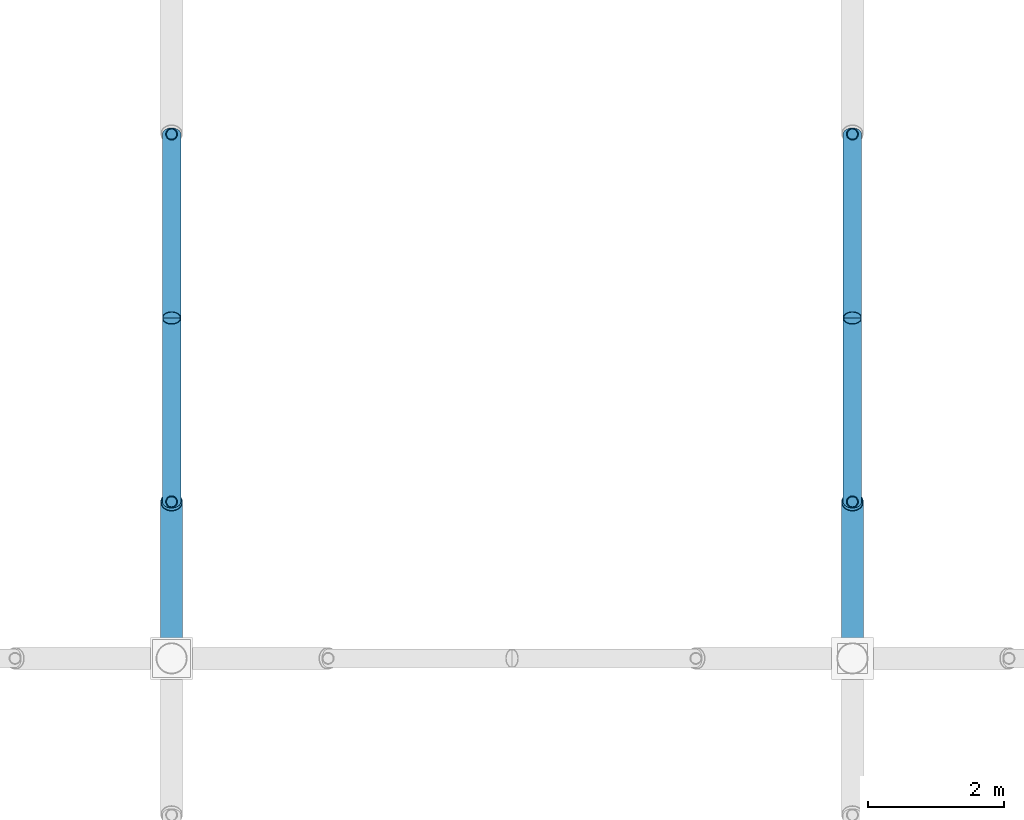
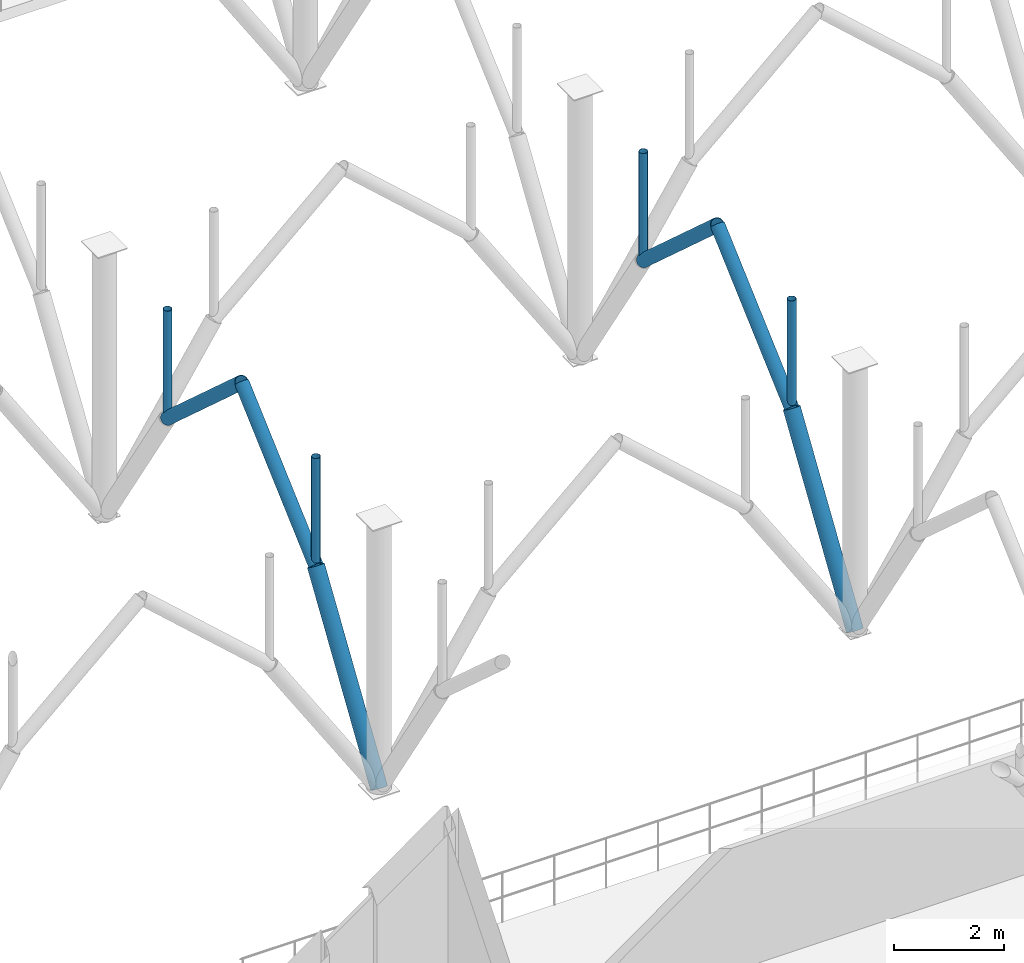
# One storey, part 40 of 109: 10 members.
"""IFC4 building model written with IfcOpenShell, lengths in metres."""

from ifc_helpers import new_model, si_unit, derived_unit, direction, frame, origin, origin_2d_with_axis, place, context, subcontext, project, spatial, hollow_circle, extrude, material, material_profile, profile_set, type_object, element, save


model = new_model("IFC4")

# Units and contexts
model_context = context("Model", 3, precision=1e-05, world=origin(), true_north=direction((0.0, 1.0)))
body_context = subcontext(model_context, "Body", "Model", "MODEL_VIEW")
ifc_project = project(units=[si_unit("LENGTHUNIT", "METRE"), si_unit("AREAUNIT", "SQUARE_METRE"), si_unit("VOLUMEUNIT", "CUBIC_METRE"), si_unit("PLANEANGLEUNIT", "RADIAN"), si_unit("MASSUNIT", "GRAM", prefix="KILO"), derived_unit("THERMALTRANSMITTANCEUNIT", [(si_unit("POWERUNIT", "WATT"), 1), (si_unit("LENGTHUNIT", "METRE"), -2), (si_unit("THERMODYNAMICTEMPERATUREUNIT", "KELVIN"), -1)])], contexts=[model_context])

# Site, building, storey
site_placement = place(None, origin())
site = spatial("IfcSite", under=ifc_project, at=site_placement, CompositionType="ELEMENT")
building_placement = place(site_placement, origin())
building = spatial("IfcBuilding", under=site, at=building_placement, Name="Cinnabar Yard Market Hall", CompositionType="ELEMENT")
storey_placement = place(building_placement, frame((0.0, 0.0, 8.39990234375)))
storey = spatial("IfcBuildingStorey", under=building, at=storey_placement, Name="L02", CompositionType="ELEMENT", Elevation=8.39990234375)

# Members
ifc_material_1 = material(Name="Spotted-gum glulam-clad steel Grade 350 (350 MPa)", Category="steel")
ifc_material_profile_1 = material_profile(ifc_material_1, hollow_circle(Radius=0.136474609375, WallThickness=0.00927734375, at=origin_2d_with_axis()), Name="273.1x9.3CHS")
ifc_profile_set_1 = profile_set([ifc_material_profile_1], Name="Spotted-gum glulam-clad steel Grade 350 (350 MPa)")
member_type_1 = type_object("IfcMemberType", Name="MB-AR01", PredefinedType="USERDEFINED", material=ifc_profile_set_1)
for number, where, z_axis, x_axis, name in (
    (1, (96.0, 36.300048828125, 3.550048828125), (0.0, 0.743297488271, 0.668961018244), (-1.0, 0.0, 0.0), "Pointed Arch Rib 0034"),
    (2, (96.0, 41.699951171875, 3.550048828125), (0.0, -0.743297488271, 0.668961018244), (1.0, 0.0, 0.0), "Pointed Arch Rib 0039"),
    (3, (106.0, 36.300048828125, 3.550048828125), (0.0, 0.743297488271, 0.668961018244), (-1.0, 0.0, 0.0), "Pointed Arch Rib 0051"),
    (4, (106.0, 41.699951171875, 3.550048828125), (0.0, -0.743297488271, 0.668961018244), (1.0, 0.0, 0.0), "Pointed Arch Rib 0056"),
):
    element("IfcMember", number, at=place(storey_placement, frame(where, z_axis=z_axis, x_axis=x_axis)), inside=storey, type_object=member_type_1, Name=name, ObjectType="ARCH RIB", PredefinedType="USERDEFINED", context=body_context, shape_type="SweptSolid", body=[
        extrude(hollow_circle(Radius=0.136474609375, WallThickness=0.00927734375, at=origin_2d_with_axis()), origin(), (0.0, 0.0, 1.0), 3.63232421875),
    ])
ifc_material_profile_2 = material_profile(ifc_material_1, hollow_circle(Radius=0.161865234375, WallThickness=0.009521484375, at=origin_2d_with_axis()), Name="323.9x9.5CHS")
ifc_profile_set_2 = profile_set([ifc_material_profile_2], Name="Spotted-gum glulam-clad steel Grade 350 (350 MPa)")
member_type_2 = type_object("IfcMemberType", Name="MB-ST01", PredefinedType="STRUT", material=ifc_profile_set_2)
for number, where, z_axis, x_axis, name in (
    (5, (96.0, 34.0, 0.0), (0.0, 0.543744165176, 0.839251024925), (-1.0, 0.0, 0.0), "Curved Branch Arm Lower 0034"),
    (6, (106.0, 34.0, 0.0), (0.0, 0.543744165176, 0.839251024925), (-1.0, 0.0, 0.0), "Curved Branch Arm Lower 0051"),
):
    element("IfcMember", number, at=place(storey_placement, frame(where, z_axis=z_axis, x_axis=x_axis)), inside=storey, type_object=member_type_2, Name=name, PredefinedType="STRUT", context=body_context, shape_type="SweptSolid", body=[
        extrude(hollow_circle(Radius=0.161865234375, WallThickness=0.009521484375, at=origin_2d_with_axis()), origin(), (0.0, 0.0, 1.0), 4.22998046875),
    ])
ifc_material_2 = material(Name="Cold-formed steel C350L0", Category="steel")
ifc_material_profile_3 = material_profile(ifc_material_2, hollow_circle(Radius=0.084228515625, WallThickness=0.00634765625, at=origin_2d_with_axis()), Name="168.3x6.4CHS")
ifc_profile_set_3 = profile_set([ifc_material_profile_3], Name="Cold-formed steel C350L0")
member_type_3 = type_object("IfcMemberType", Name="MB-WB01", PredefinedType="STRUT", material=ifc_profile_set_3)
for number, where, z_axis, x_axis, name in (
    (7, (96.0, 36.300048828125, 3.550048828125), (0.0, 0.0, 1.0), (1.0, 0.0, 0.0), "Arch Spandrel Post 0034"),
    (8, (96.0, 41.699951171875, 3.550048828125), (0.0, 0.0, 1.0), (1.0, 0.0, 0.0), "Arch Spandrel Post 0039"),
    (9, (106.0, 36.300048828125, 3.550048828125), (0.0, 0.0, 1.0), (1.0, 0.0, 0.0), "Arch Spandrel Post 0051"),
    (10, (106.0, 41.699951171875, 3.550048828125), (0.0, 0.0, 1.0), (1.0, 0.0, 0.0), "Arch Spandrel Post 0056"),
):
    element("IfcMember", number, at=place(storey_placement, frame(where, z_axis=z_axis, x_axis=x_axis)), inside=storey, type_object=member_type_3, Name=name, PredefinedType="STRUT", context=body_context, shape_type="SweptSolid", body=[
        extrude(hollow_circle(Radius=0.084228515625, WallThickness=0.00634765625, at=origin_2d_with_axis()), origin(), (0.0, 0.0, 1.0), 2.429931640625),
    ])

save(model, "model.ifc")
